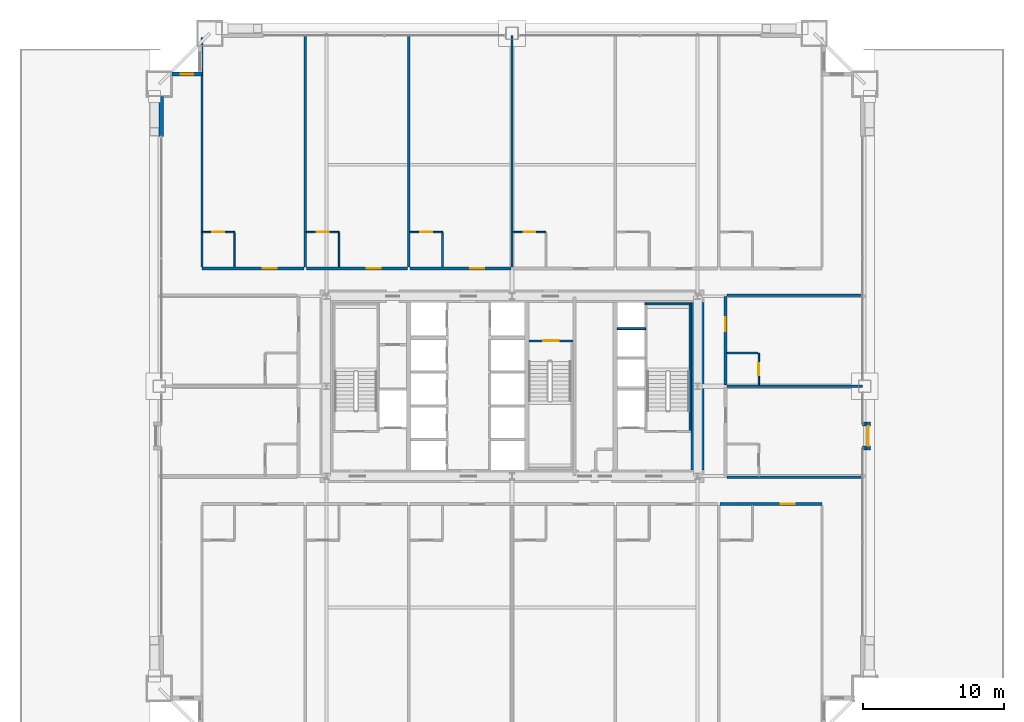
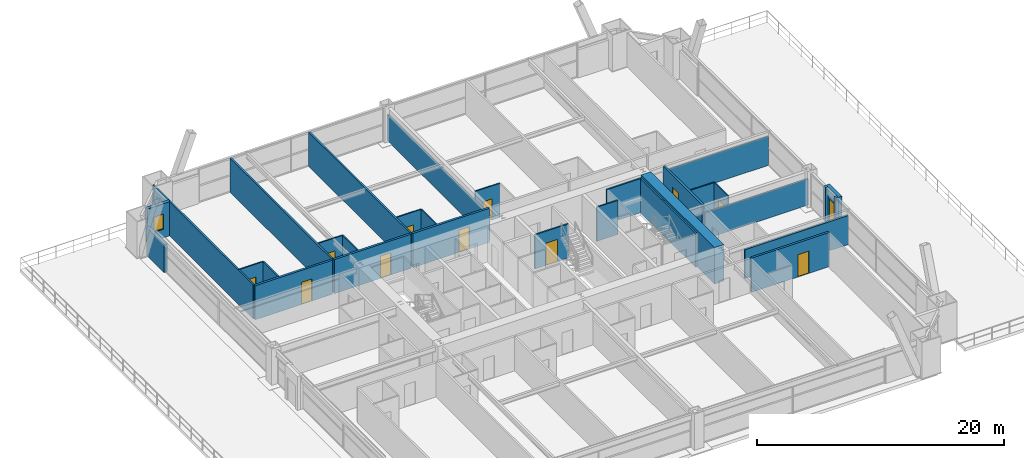
# One storey, part 41 of 45: 31 walls, 12 doors, 1 window, 13 openings.
"""IFC4 building model written with IfcOpenShell, lengths in metres."""

from ifc_helpers import new_model, si_unit, direction, frame, frame_2d, origin, place, context, subcontext, project, spatial, rectangle, extrude, source, transform, mapped, material, layer, layer_set, type_object, element, fill, save


model = new_model("IFC4")

# Units and contexts
model_context = context("Model", 3, precision=1e-05, world=origin(), true_north=direction((0.0, 1.0)))
body_context = subcontext(model_context, "Body", "Model", "MODEL_VIEW")
ifc_project = project(units=[si_unit("LENGTHUNIT", "METRE"), si_unit("AREAUNIT", "SQUARE_METRE"), si_unit("VOLUMEUNIT", "CUBIC_METRE"), si_unit("PLANEANGLEUNIT", "RADIAN"), si_unit("MASSUNIT", "GRAM", prefix="KILO"), si_unit("THERMODYNAMICTEMPERATUREUNIT", "KELVIN"), si_unit("POWERUNIT", "WATT")], contexts=[model_context])

# Site, building, storey
site_placement = place(None, origin())
site = spatial("IfcSite", under=ifc_project, at=site_placement, CompositionType="ELEMENT")
building_placement = place(site_placement, origin())
building = spatial("IfcBuilding", under=site, at=building_placement, Name="Yuzanri Waterfront Tower", CompositionType="ELEMENT")
storey_placement = place(building_placement, frame((0.0, 0.0, 30.60009765625)))
storey = spatial("IfcBuildingStorey", under=building, at=storey_placement, Name="L07", CompositionType="ELEMENT", Elevation=30.60009765625)

# Wall, opening, door
ifc_material_1 = material(Name="Moisture-Resistant Gypsum Stud Wall", Category="gypsum")
ifc_layer_1 = layer(ifc_material_1, 0.1201171875)
ifc_layer_set_1 = layer_set([ifc_layer_1], Name="Moisture-Resistant Gypsum Stud Wall")
wall_type_1 = type_object("IfcWallType", Name="Bathroom and Kitchen Wet Partition 120", PredefinedType="PARTITIONING", material=ifc_layer_set_1)
wall_1_placement = place(storey_placement, frame((14.93994140625, 36.760009765625, 0.0), z_axis=(0.0, 0.0, 1.0), x_axis=(1.0, 0.0, 0.0)))
wall_1 = element("IfcWall", 1, at=wall_1_placement, inside=storey, type_object=wall_type_1, Name="L07 Partition UW-L07-N1-BN", PredefinedType="PARTITIONING", context=body_context, shape_type="SweptSolid", body=[
    extrude(rectangle(XDim=2.330078125, YDim=0.1201171875, at=frame_2d((1.1650390625, 0.0))), origin(), (0.0, 0.0, 1.0), 3.3798828125),
])
opening_1_placement = place(wall_1_placement, frame((0.739990234375, 0.0, 0.0)))
opening_1 = element("IfcOpeningElement", 2, at=opening_1_placement, cuts=wall_1, Name="Opening ID-0850", PredefinedType="OPENING", context=body_context, shape_type="SweptSolid", body=[
    extrude(rectangle(XDim=0.85009765625, YDim=2.10009765625, at=frame_2d((0.425048828125, 1.050048828125))), frame((0.0, 0.074951171875, 0.0), z_axis=(0.0, -1.0, 0.0), x_axis=(1.0, 0.0, 0.0)), (0.0, 0.0, 1.0), 0.14990234375),
])
ifc_material_2 = material(Name="Moisture-Resistant Lacquered Timber", Category="wood")
door_type_1 = type_object("IfcDoorType", Name="En-Suite Bathroom and Kitchen Swing Door 850x2100", OperationType="NOTDEFINED", PredefinedType="DOOR", material=ifc_material_2)
shared_shape_1 = source(origin(), body_context, "Body", "SweptSolid", [
    extrude(rectangle(XDim=0.85009765625, YDim=2.10009765625, at=frame_2d((0.425048828125, 1.050048828125))), frame((0.0, 0.02490234375, 0.0), z_axis=(0.0, -1.0, 0.0), x_axis=(1.0, 0.0, 0.0)), (0.0, 0.0, 1.0), 0.050048828125),
])
door_1_placement = place(opening_1_placement, origin())
door_1 = element("IfcDoor", 3, at=door_1_placement, inside=storey, type_object=door_type_1, Name="L07 Guest En-Suite Door", OperationType="SINGLE_SWING_LEFT", OverallHeight=2.10009765625, OverallWidth=0.85009765625, PredefinedType="DOOR", context=body_context, shape_type="MappedRepresentation", body=[
    mapped(shared_shape_1, transform((0.0, 0.0, 0.0), scale=1.0)),
])
fill(opening_1, door_1)

wall_2_placement = place(storey_placement, frame((22.373046875, 36.760009765625, 0.0), z_axis=(0.0, 0.0, 1.0), x_axis=(1.0, 0.0, 0.0)))
wall_2 = element("IfcWall", 4, at=wall_2_placement, inside=storey, type_object=wall_type_1, Name="L07 Partition UW-L07-N2-BN", PredefinedType="PARTITIONING", context=body_context, shape_type="SweptSolid", body=[
    extrude(rectangle(XDim=2.329833984375, YDim=0.1201171875, at=frame_2d((1.1650390625, 0.0))), origin(), (0.0, 0.0, 1.0), 3.3798828125),
])
opening_2_placement = place(wall_2_placement, frame((0.739990234375, 0.0, 0.0)))
opening_2 = element("IfcOpeningElement", 5, at=opening_2_placement, cuts=wall_2, Name="Opening ID-0850", PredefinedType="OPENING", context=body_context, shape_type="SweptSolid", body=[
    extrude(rectangle(XDim=0.85009765625, YDim=2.10009765625, at=frame_2d((0.425048828125, 1.050048828125))), frame((0.0, 0.074951171875, 0.0), z_axis=(0.0, -1.0, 0.0), x_axis=(1.0, 0.0, 0.0)), (0.0, 0.0, 1.0), 0.14990234375),
])
door_2_placement = place(opening_2_placement, origin())
door_2 = element("IfcDoor", 6, at=door_2_placement, inside=storey, type_object=door_type_1, Name="L07 Guest En-Suite Door", OperationType="SINGLE_SWING_LEFT", OverallHeight=2.10009765625, OverallWidth=0.85009765625, PredefinedType="DOOR", context=body_context, shape_type="MappedRepresentation", body=[
    mapped(shared_shape_1, transform((0.0, 0.0, 0.0), scale=1.0)),
])
fill(opening_2, door_2)

wall_3_placement = place(storey_placement, frame((29.72705078125, 36.760009765625, 0.0), z_axis=(0.0, 0.0, 1.0), x_axis=(1.0, 0.0, 0.0)))
wall_3 = element("IfcWall", 7, at=wall_3_placement, inside=storey, type_object=wall_type_1, Name="L07 Partition UW-L07-N3-BN", PredefinedType="PARTITIONING", context=body_context, shape_type="SweptSolid", body=[
    extrude(rectangle(XDim=2.329833984375, YDim=0.1201171875, at=frame_2d((1.1650390625, 0.0))), origin(), (0.0, 0.0, 1.0), 3.3798828125),
])
opening_3_placement = place(wall_3_placement, frame((0.739990234375, 0.0, 0.0)))
opening_3 = element("IfcOpeningElement", 8, at=opening_3_placement, cuts=wall_3, Name="Opening ID-0850", PredefinedType="OPENING", context=body_context, shape_type="SweptSolid", body=[
    extrude(rectangle(XDim=0.85009765625, YDim=2.10009765625, at=frame_2d((0.425048828125, 1.050048828125))), frame((0.0, 0.074951171875, 0.0), z_axis=(0.0, -1.0, 0.0), x_axis=(1.0, 0.0, 0.0)), (0.0, 0.0, 1.0), 0.14990234375),
])
door_3_placement = place(opening_3_placement, origin())
door_3 = element("IfcDoor", 9, at=door_3_placement, inside=storey, type_object=door_type_1, Name="L07 Guest En-Suite Door", OperationType="SINGLE_SWING_LEFT", OverallHeight=2.10009765625, OverallWidth=0.85009765625, PredefinedType="DOOR", context=body_context, shape_type="MappedRepresentation", body=[
    mapped(shared_shape_1, transform((0.0, 0.0, 0.0), scale=1.0)),
])
fill(opening_3, door_3)

wall_4_placement = place(storey_placement, frame((37.080078125, 36.760009765625, 0.0), z_axis=(0.0, 0.0, 1.0), x_axis=(1.0, 0.0, 0.0)))
wall_4 = element("IfcWall", 10, at=wall_4_placement, inside=storey, type_object=wall_type_1, Name="L07 Partition UW-L07-N4-BN", PredefinedType="PARTITIONING", context=body_context, shape_type="SweptSolid", body=[
    extrude(rectangle(XDim=2.329833984375, YDim=0.1201171875, at=frame_2d((1.1650390625, 0.0))), origin(), (0.0, 0.0, 1.0), 3.3798828125),
])
opening_4_placement = place(wall_4_placement, frame((0.739990234375, 0.0, 0.0)))
opening_4 = element("IfcOpeningElement", 11, at=opening_4_placement, cuts=wall_4, Name="Opening ID-0850", PredefinedType="OPENING", context=body_context, shape_type="SweptSolid", body=[
    extrude(rectangle(XDim=0.85009765625, YDim=2.10009765625, at=frame_2d((0.425048828125, 1.050048828125))), frame((0.0, 0.074951171875, 0.0), z_axis=(0.0, -1.0, 0.0), x_axis=(1.0, 0.0, 0.0)), (0.0, 0.0, 1.0), 0.14990234375),
])
door_4_placement = place(opening_4_placement, origin())
door_4 = element("IfcDoor", 12, at=door_4_placement, inside=storey, type_object=door_type_1, Name="L07 Guest En-Suite Door", OperationType="SINGLE_SWING_LEFT", OverallHeight=2.10009765625, OverallWidth=0.85009765625, PredefinedType="DOOR", context=body_context, shape_type="MappedRepresentation", body=[
    mapped(shared_shape_1, transform((0.0, 0.0, 0.0), scale=1.0)),
])
fill(opening_4, door_4)

wall_5_placement = place(storey_placement, frame((54.56005859375, 25.8798828125, 0.0), z_axis=(0.0, 0.0, 1.0), x_axis=(0.0, 1.0, 0.0)))
wall_5 = element("IfcWall", 13, at=wall_5_placement, inside=storey, type_object=wall_type_1, Name="L07 Partition UW-L07-E2-BE2", PredefinedType="PARTITIONING", context=body_context, shape_type="SweptSolid", body=[
    extrude(rectangle(XDim=2.280029296875, YDim=0.1201171875, at=frame_2d((1.14013671875, 0.0))), origin(), (0.0, 0.0, 1.0), 3.3798828125),
])
opening_5_placement = place(wall_5_placement, frame((0.715087890625, 0.0, 0.0)))
opening_5 = element("IfcOpeningElement", 14, at=opening_5_placement, cuts=wall_5, Name="Opening ID-0850", PredefinedType="OPENING", context=body_context, shape_type="SweptSolid", body=[
    extrude(rectangle(XDim=0.85009765625, YDim=2.10009765625, at=frame_2d((0.425048828125, 1.050048828125))), frame((0.0, 0.074951171875, 0.0), z_axis=(0.0, -1.0, 0.0), x_axis=(1.0, 0.0, 0.0)), (0.0, 0.0, 1.0), 0.14990234375),
])
door_5_placement = place(opening_5_placement, origin())
door_5 = element("IfcDoor", 15, at=door_5_placement, inside=storey, type_object=door_type_1, Name="L07 Guest En-Suite Door", OperationType="SINGLE_SWING_LEFT", OverallHeight=2.10009765625, OverallWidth=0.85009765625, PredefinedType="DOOR", context=body_context, shape_type="MappedRepresentation", body=[
    mapped(shared_shape_1, transform((0.0, 0.0, 0.0), scale=1.0)),
])
fill(opening_5, door_5)

# Wall, opening, window
ifc_material_3 = material(Name="Honed Chongqing Dark Basalt Stone", Category="masonry")
ifc_layer_2 = layer(ifc_material_3, 0.300048828125)
ifc_layer_set_2 = layer_set([ifc_layer_2], Name="Honed Chongqing Dark Basalt Stone")
wall_type_2 = type_object("IfcWallType", Name="Bronze Rainscreen Insulated Spandrel Portal Wall 300", PredefinedType="SOLIDWALL", material=ifc_layer_set_2)
wall_6_placement = place(storey_placement, frame((14.949951171875, 48.0, 0.0), z_axis=(0.0, 0.0, 1.0), x_axis=(-1.0, 0.0, 0.0)))
wall_6 = element("IfcWall", 16, at=wall_6_placement, inside=storey, type_object=wall_type_2, Name="L07 Notched Corner Masonry Wall NW-X", PredefinedType="SOLIDWALL", context=body_context, shape_type="SweptSolid", body=[
    extrude(rectangle(XDim=2.14990234375, YDim=0.300048828125, at=frame_2d((1.074951171875, 0.0))), origin(), (0.0, 0.0, 1.0), 3.3798828125),
])
opening_6_placement = place(wall_6_placement, frame((0.625, 0.0, 0.85009765625)))
opening_6 = element("IfcOpeningElement", 17, at=opening_6_placement, cuts=wall_6, Name="Opening WN-05", PredefinedType="OPENING", context=body_context, shape_type="SweptSolid", body=[
    extrude(rectangle(XDim=0.89990234375, YDim=1.5, at=frame_2d((0.449951171875, 0.75))), frame((0.0, 0.1650390625, 0.0), z_axis=(0.0, -1.0, 0.0), x_axis=(1.0, 0.0, 0.0)), (0.0, 0.0, 1.0), 0.329833984375),
])
ifc_material_4 = material(Name="Double-Silver Low-E Insulated Glass", Category="glass")
window_type = type_object("IfcWindowType", Name="Anodized Bronze Service and Stairwell Smoke-Vent Window 900x1500", PartitioningType="SINGLE_PANEL", PredefinedType="WINDOW", material=ifc_material_4)
shared_shape_2 = source(origin(), body_context, "Body", "SweptSolid", [
    extrude(rectangle(XDim=0.89990234375, YDim=1.5, at=frame_2d((0.449951171875, 0.75))), frame((0.0, 0.030029296875, 0.0), z_axis=(0.0, -1.0, 0.0), x_axis=(1.0, 0.0, 0.0)), (0.0, 0.0, 1.0), 0.06005859375),
])
window_placement = place(opening_6_placement, origin())
window = element("IfcWindow", 18, at=window_placement, inside=storey, type_object=window_type, Name="L07 Notched Corner Window NW-X", OverallHeight=1.5, OverallWidth=0.89990234375, PartitioningType="SINGLE_PANEL", PredefinedType="WINDOW", context=body_context, shape_type="MappedRepresentation", body=[
    mapped(shared_shape_2, transform((0.0, 0.0, 0.0), scale=1.0)),
])
fill(opening_6, window)

# Wall, opening, door
wall_7_placement = place(storey_placement, frame((62.35009765625, 21.2548828125, 0.0), z_axis=(0.0, 0.0, 1.0), x_axis=(0.0, 1.0, 0.0)))
wall_7 = element("IfcWall", 19, at=wall_7_placement, inside=storey, type_object=wall_type_2, Name="L07 E Terrace Door Portal Wall", PredefinedType="SOLIDWALL", context=body_context, shape_type="SweptSolid", body=[
    extrude(rectangle(XDim=2.0, YDim=0.300048828125, at=frame_2d((1.0, 0.0))), origin(), (0.0, 0.0, 1.0), 3.3798828125),
])
opening_7_placement = place(wall_7_placement, frame((0.300048828125, 0.0, 0.0)))
opening_7 = element("IfcOpeningElement", 20, at=opening_7_placement, cuts=wall_7, Name="Opening TD-1400", PredefinedType="OPENING", context=body_context, shape_type="SweptSolid", body=[
    extrude(rectangle(XDim=1.39990234375, YDim=2.300048828125, at=frame_2d((0.699951171875, 1.14990234375))), frame((0.0, 0.1650390625, 0.0), z_axis=(0.0, -1.0, 0.0), x_axis=(1.0, 0.0, 0.0)), (0.0, 0.0, 1.0), 0.329833984375),
])
ifc_material_5 = material(Name="Anodized Architectural Bronze", Category="metal")
door_type_2 = type_object("IfcDoorType", Name="Anodized Bronze Balcony and Terrace Glazed Double Door 1400x2300", OperationType="NOTDEFINED", PredefinedType="DOOR", material=ifc_material_5)
shared_shape_3 = source(origin(), body_context, "Body", "SweptSolid", [
    extrude(rectangle(XDim=1.39990234375, YDim=2.300048828125, at=frame_2d((0.699951171875, 1.14990234375))), frame((0.0, 0.02490234375, 0.0), z_axis=(0.0, -1.0, 0.0), x_axis=(1.0, 0.0, 0.0)), (0.0, 0.0, 1.0), 0.050048828125),
])
door_6_placement = place(opening_7_placement, origin())
door_6 = element("IfcDoor", 21, at=door_6_placement, inside=storey, type_object=door_type_2, Name="L07 E Terrace Glazed Double Door", OperationType="DOUBLE_DOOR_SINGLE_SWING", OverallHeight=2.300048828125, OverallWidth=1.39990234375, PredefinedType="DOOR", context=body_context, shape_type="MappedRepresentation", body=[
    mapped(shared_shape_3, transform((0.0, 0.0, 0.0), scale=1.0)),
])
fill(opening_7, door_6)

ifc_material_6 = material(Name="Concrete C40", Category="concrete")
ifc_layer_3 = layer(ifc_material_6, 0.139892578125)
ifc_layer_set_3 = layer_set([ifc_layer_3], Name="Concrete C40")
wall_type_3 = type_object("IfcWallType", Name="Core Stair Liner and Hoistway Shaft Wall 140", PredefinedType="SOLIDWALL", material=ifc_layer_set_3)
wall_8_placement = place(storey_placement, frame((38.199951171875, 29.030029296875, 0.0), z_axis=(0.0, 0.0, 1.0), x_axis=(1.0, 0.0, 0.0)))
wall_8 = element("IfcWall", 22, at=wall_8_placement, inside=storey, type_object=wall_type_3, Name="L07 Shaft Wall STW-L07-ST-03-N", PredefinedType="SOLIDWALL", context=body_context, shape_type="SweptSolid", body=[
    extrude(rectangle(XDim=3.14013671875, YDim=0.139892578125, at=frame_2d((1.570068359375, 0.0))), origin(), (0.0, 0.0, 1.0), 3.3798828125),
])
opening_8_placement = place(wall_8_placement, frame((1.02001953125, 0.0, 0.0)))
opening_8 = element("IfcOpeningElement", 23, at=opening_8_placement, cuts=wall_8, Name="Opening FD-1100", PredefinedType="OPENING", context=body_context, shape_type="SweptSolid", body=[
    extrude(rectangle(XDim=1.10009765625, YDim=2.199951171875, at=frame_2d((0.550048828125, 1.10009765625))), frame((0.0, 0.0849609375, 0.0), z_axis=(0.0, -1.0, 0.0), x_axis=(1.0, 0.0, 0.0)), (0.0, 0.0, 1.0), 0.169677734375),
])
ifc_material_7 = material(Name="Painted Galvanized Fire Steel", Category="steel")
door_type_3 = type_object("IfcDoorType", Name="Smoke-Proof Stair and Lobby Fire Door 1100x2200", OperationType="NOTDEFINED", PredefinedType="DOOR", material=ifc_material_7)
shared_shape_4 = source(origin(), body_context, "Body", "SweptSolid", [
    extrude(rectangle(XDim=1.10009765625, YDim=2.199951171875, at=frame_2d((0.550048828125, 1.10009765625))), frame((0.0, 0.02490234375, 0.0), z_axis=(0.0, -1.0, 0.0), x_axis=(1.0, 0.0, 0.0)), (0.0, 0.0, 1.0), 0.050048828125),
])
door_7_placement = place(opening_8_placement, origin())
door_7 = element("IfcDoor", 24, at=door_7_placement, inside=storey, type_object=door_type_3, Name="L07 Stair ST-03 Fire Door", OperationType="SINGLE_SWING_RIGHT", OverallHeight=2.199951171875, OverallWidth=1.10009765625, PredefinedType="DOOR", context=body_context, shape_type="MappedRepresentation", body=[
    mapped(shared_shape_4, transform((0.0, 0.0, 0.0), scale=1.0)),
])
fill(opening_8, door_7)

ifc_material_8 = material(Name="Autoclaved Aerated Concrete Blockwork", Category="masonry")
ifc_layer_4 = layer(ifc_material_8, 0.199951171875)
ifc_layer_set_4 = layer_set([ifc_layer_4], Name="Autoclaved Aerated Concrete Blockwork")
wall_type_4 = type_object("IfcWallType", Name="Corridor and Unit Party Fire Wall 200", PredefinedType="PARTITIONING", material=ifc_layer_set_4)
wall_9_placement = place(storey_placement, frame((51.787109375, 17.419921875, 0.0), z_axis=(0.0, 0.0, 1.0), x_axis=(1.0, 0.0, 0.0)))
wall_9 = element("IfcWall", 25, at=wall_9_placement, inside=storey, type_object=wall_type_4, Name="L07 Partition UW-L07-S6-CN", PredefinedType="PARTITIONING", context=body_context, shape_type="SweptSolid", body=[
    extrude(rectangle(XDim=7.27294921875, YDim=0.199951171875, at=frame_2d((3.636474609375, 0.0))), origin(), (0.0, 0.0, 1.0), 3.3798828125),
])
opening_9_placement = place(wall_9_placement, frame((4.342041015625, 0.0, 0.0)))
opening_9 = element("IfcOpeningElement", 26, at=opening_9_placement, cuts=wall_9, Name="Opening FD-1000", PredefinedType="OPENING", context=body_context, shape_type="SweptSolid", body=[
    extrude(rectangle(XDim=1.0, YDim=2.199951171875, at=frame_2d((0.5, 1.10009765625))), frame((0.0, 0.11474609375, 0.0), z_axis=(0.0, -1.0, 0.0), x_axis=(1.0, 0.0, 0.0)), (0.0, 0.0, 1.0), 0.229736328125),
])
ifc_material_9 = material(Name="Engineered Oak Fire-Rated Timber", Category="wood")
door_type_4 = type_object("IfcDoorType", Name="Guestroom and Apartment Entrance Fire Door 1000x2200", OperationType="NOTDEFINED", PredefinedType="DOOR", material=ifc_material_9)
shared_shape_5 = source(origin(), body_context, "Body", "SweptSolid", [
    extrude(rectangle(XDim=1.0, YDim=2.199951171875, at=frame_2d((0.5, 1.10009765625))), frame((0.0, 0.02490234375, 0.0), z_axis=(0.0, -1.0, 0.0), x_axis=(1.0, 0.0, 0.0)), (0.0, 0.0, 1.0), 0.050048828125),
])
door_8_placement = place(opening_9_placement, origin())
door_8 = element("IfcDoor", 27, at=door_8_placement, inside=storey, type_object=door_type_4, Name="L07 Premier King Junior Suite Entrance Door", OperationType="SINGLE_SWING_RIGHT", OverallHeight=2.199951171875, OverallWidth=1.0, PredefinedType="DOOR", context=body_context, shape_type="MappedRepresentation", body=[
    mapped(shared_shape_5, transform((0.0, 0.0, 0.0), scale=1.0)),
])
fill(opening_9, door_8)

wall_10_placement = place(storey_placement, frame((14.93994140625, 34.179931640625, 0.0), z_axis=(0.0, 0.0, 1.0), x_axis=(1.0, 0.0, 0.0)))
wall_10 = element("IfcWall", 28, at=wall_10_placement, inside=storey, type_object=wall_type_4, Name="L07 Partition UW-L07-N1-CS", PredefinedType="PARTITIONING", context=body_context, shape_type="SweptSolid", body=[
    extrude(rectangle(XDim=7.27294921875, YDim=0.199951171875, at=frame_2d((3.636474609375, 0.0))), origin(), (0.0, 0.0, 1.0), 3.3798828125),
])
opening_10_placement = place(wall_10_placement, frame((4.342041015625, 0.0, 0.0)))
opening_10 = element("IfcOpeningElement", 29, at=opening_10_placement, cuts=wall_10, Name="Opening FD-1000", PredefinedType="OPENING", context=body_context, shape_type="SweptSolid", body=[
    extrude(rectangle(XDim=1.0, YDim=2.199951171875, at=frame_2d((0.5, 1.10009765625))), frame((0.0, 0.11474609375, 0.0), z_axis=(0.0, -1.0, 0.0), x_axis=(1.0, 0.0, 0.0)), (0.0, 0.0, 1.0), 0.229736328125),
])
door_9_placement = place(opening_10_placement, origin())
door_9 = element("IfcDoor", 30, at=door_9_placement, inside=storey, type_object=door_type_4, Name="L07 Deluxe Cityview Junior Suite Entrance Door", OperationType="SINGLE_SWING_RIGHT", OverallHeight=2.199951171875, OverallWidth=1.0, PredefinedType="DOOR", context=body_context, shape_type="MappedRepresentation", body=[
    mapped(shared_shape_5, transform((0.0, 0.0, 0.0), scale=1.0)),
])
fill(opening_10, door_9)

wall_11_placement = place(storey_placement, frame((22.373046875, 34.179931640625, 0.0), z_axis=(0.0, 0.0, 1.0), x_axis=(1.0, 0.0, 0.0)))
wall_11 = element("IfcWall", 31, at=wall_11_placement, inside=storey, type_object=wall_type_4, Name="L07 Partition UW-L07-N2-CS", PredefinedType="PARTITIONING", context=body_context, shape_type="SweptSolid", body=[
    extrude(rectangle(XDim=7.19384765625, YDim=0.199951171875, at=frame_2d((3.596923828125, 0.0))), origin(), (0.0, 0.0, 1.0), 3.3798828125),
])
opening_11_placement = place(wall_11_placement, frame((4.302001953125, 0.0, 0.0)))
opening_11 = element("IfcOpeningElement", 32, at=opening_11_placement, cuts=wall_11, Name="Opening FD-1000", PredefinedType="OPENING", context=body_context, shape_type="SweptSolid", body=[
    extrude(rectangle(XDim=1.0, YDim=2.199951171875, at=frame_2d((0.5, 1.10009765625))), frame((0.0, 0.11474609375, 0.0), z_axis=(0.0, -1.0, 0.0), x_axis=(1.0, 0.0, 0.0)), (0.0, 0.0, 1.0), 0.229736328125),
])
door_10_placement = place(opening_11_placement, origin())
door_10 = element("IfcDoor", 33, at=door_10_placement, inside=storey, type_object=door_type_4, Name="L07 Deluxe Cityview Junior Suite Entrance Door", OperationType="SINGLE_SWING_RIGHT", OverallHeight=2.199951171875, OverallWidth=1.0, PredefinedType="DOOR", context=body_context, shape_type="MappedRepresentation", body=[
    mapped(shared_shape_5, transform((0.0, 0.0, 0.0), scale=1.0)),
])
fill(opening_11, door_10)

wall_12_placement = place(storey_placement, frame((29.72705078125, 34.179931640625, 0.0), z_axis=(0.0, 0.0, 1.0), x_axis=(1.0, 0.0, 0.0)))
wall_12 = element("IfcWall", 34, at=wall_12_placement, inside=storey, type_object=wall_type_4, Name="L07 Partition UW-L07-N3-CS", PredefinedType="PARTITIONING", context=body_context, shape_type="SweptSolid", body=[
    extrude(rectangle(XDim=7.19287109375, YDim=0.199951171875, at=frame_2d((3.596435546875, 0.0))), origin(), (0.0, 0.0, 1.0), 3.3798828125),
])
opening_12_placement = place(wall_12_placement, frame((4.302001953125, 0.0, 0.0)))
opening_12 = element("IfcOpeningElement", 35, at=opening_12_placement, cuts=wall_12, Name="Opening FD-1000", PredefinedType="OPENING", context=body_context, shape_type="SweptSolid", body=[
    extrude(rectangle(XDim=1.0, YDim=2.199951171875, at=frame_2d((0.5, 1.10009765625))), frame((0.0, 0.11474609375, 0.0), z_axis=(0.0, -1.0, 0.0), x_axis=(1.0, 0.0, 0.0)), (0.0, 0.0, 1.0), 0.229736328125),
])
door_11_placement = place(opening_12_placement, origin())
door_11 = element("IfcDoor", 36, at=door_11_placement, inside=storey, type_object=door_type_4, Name="L07 Deluxe Cityview Junior Suite Entrance Door", OperationType="SINGLE_SWING_RIGHT", OverallHeight=2.199951171875, OverallWidth=1.0, PredefinedType="DOOR", context=body_context, shape_type="MappedRepresentation", body=[
    mapped(shared_shape_5, transform((0.0, 0.0, 0.0), scale=1.0)),
])
fill(opening_12, door_11)

wall_13_placement = place(storey_placement, frame((52.179931640625, 25.8798828125, 0.0), z_axis=(0.0, 0.0, 1.0), x_axis=(0.0, 1.0, 0.0)))
wall_13 = element("IfcWall", 37, at=wall_13_placement, inside=storey, type_object=wall_type_4, Name="L07 Partition UW-L07-E2-CW", PredefinedType="PARTITIONING", context=body_context, shape_type="SweptSolid", body=[
    extrude(rectangle(XDim=6.31005859375, YDim=0.199951171875, at=frame_2d((3.155029296875, 0.0))), origin(), (0.0, 0.0, 1.0), 3.3798828125),
])
opening_13_placement = place(wall_13_placement, frame((3.8349609375, 0.0, 0.0)))
opening_13 = element("IfcOpeningElement", 38, at=opening_13_placement, cuts=wall_13, Name="Opening FD-1000", PredefinedType="OPENING", context=body_context, shape_type="SweptSolid", body=[
    extrude(rectangle(XDim=1.0, YDim=2.199951171875, at=frame_2d((0.5, 1.10009765625))), frame((0.0, 0.11474609375, 0.0), z_axis=(0.0, -1.0, 0.0), x_axis=(1.0, 0.0, 0.0)), (0.0, 0.0, 1.0), 0.229736328125),
])
door_12_placement = place(opening_13_placement, origin())
door_12 = element("IfcDoor", 39, at=door_12_placement, inside=storey, type_object=door_type_4, Name="L07 Confluence Suite Entrance Door", OperationType="SINGLE_SWING_RIGHT", OverallHeight=2.199951171875, OverallWidth=1.0, PredefinedType="DOOR", context=body_context, shape_type="MappedRepresentation", body=[
    mapped(shared_shape_5, transform((0.0, 0.0, 0.0), scale=1.0)),
])
fill(opening_13, door_12)

# Walls
ifc_material_10 = material(Name="Concrete C60", Category="concrete")
ifc_layer_5 = layer(ifc_material_10, 0.89990234375)
ifc_layer_set_5 = layer_set([ifc_layer_5], Name="Concrete C60")
wall_type_5 = type_object("IfcWallType", Name="Concrete C60 Lower Zone Core Shear Wall 900", PredefinedType="SHEAR", material=ifc_layer_set_5)
shared_shape_6 = source(origin(), body_context, "Body", "SweptSolid", [
    extrude(rectangle(XDim=11.89990234375, YDim=0.89990234375, at=frame_2d((5.949951171875, 0.0))), origin(), (0.0, 0.0, 1.0), 3.599853515625),
])
wall_14_placement = place(storey_placement, frame((50.199951171875, 19.85009765625, 0.0), z_axis=(0.0, 0.0, 1.0), x_axis=(0.0, 1.0, 0.0)))
element("IfcWall", 40, at=wall_14_placement, inside=storey, type_object=wall_type_5, Name="L07 Core East Shear Wall", PredefinedType="SHEAR", context=body_context, shape_type="MappedRepresentation", body=[
    mapped(shared_shape_6, transform((0.0, 0.0, 0.0), scale=1.0)),
])
shared_shape_7 = source(origin(), body_context, "Body", "SweptSolid", [
    extrude(rectangle(XDim=2.849853515625, YDim=0.300048828125, at=frame_2d((1.4248046875, 0.0))), origin(), (0.0, 0.0, 1.0), 2.77490234375),
])
wall_15_placement = place(storey_placement, frame((12.050048828125, 43.550048828125, 0.0), z_axis=(0.0, 0.0, 1.0), x_axis=(0.0, 1.0, 0.0)))
element("IfcWall", 41, at=wall_15_placement, inside=storey, type_object=wall_type_2, Name="L07 W Right Braced Masonry Shoulder", PredefinedType="SOLIDWALL", context=body_context, shape_type="MappedRepresentation", body=[
    mapped(shared_shape_7, transform((0.0, 0.0, 0.0), scale=1.0)),
])
shared_shape_8 = source(origin(), body_context, "Body", "SweptSolid", [
    extrude(rectangle(XDim=0.25, YDim=0.300048828125, at=frame_2d((0.125, 0.0))), origin(), (0.0, 0.0, 1.0), 3.3798828125),
])
for number, where, z_axis, x_axis, name in (
    (42, (61.949951171875, 21.405029296875, 0.0), (0.0, 0.0, 1.0), (1.0, 0.0, 0.0), "L07 E Terrace Portal Left Return"),
    (43, (62.199951171875, 23.10498046875, 0.0), (0.0, 0.0, 1.0), (-1.0, 0.0, 0.0), "L07 E Terrace Portal Right Return"),
):
    element("IfcWall", number, at=place(storey_placement, frame(where, z_axis=z_axis, x_axis=x_axis)), inside=storey, type_object=wall_type_2, Name=name, PredefinedType="SOLIDWALL", context=body_context, shape_type="MappedRepresentation", body=[
        mapped(shared_shape_8, transform((0.0, 0.0, 0.0), scale=1.0)),
    ])
shared_shape_9 = source(origin(), body_context, "Body", "SweptSolid", [
    extrude(rectangle(XDim=2.0, YDim=0.139892578125, at=frame_2d((1.0, 0.0))), origin(), (0.0, 0.0, 1.0), 3.3798828125),
])
wall_16_placement = place(storey_placement, frame((44.5, 29.89990234375, 0.0), z_axis=(0.0, 0.0, 1.0), x_axis=(1.0, 0.0, 0.0)))
element("IfcWall", 44, at=wall_16_placement, inside=storey, type_object=wall_type_3, Name="L07 Lift PL-10 Divider Wall", PredefinedType="SOLIDWALL", context=body_context, shape_type="MappedRepresentation", body=[
    mapped(shared_shape_9, transform((0.0, 0.0, 0.0), scale=1.0)),
])
shared_shape_10 = source(origin(), body_context, "Body", "SweptSolid", [
    extrude(rectangle(XDim=3.280029296875, YDim=0.139892578125, at=frame_2d((1.64013671875, 0.0))), origin(), (0.0, 0.0, 1.0), 3.3798828125),
])
wall_17_placement = place(storey_placement, frame((46.4599609375, 31.64990234375, 0.0), z_axis=(0.0, 0.0, 1.0), x_axis=(1.0, 0.0, 0.0)))
element("IfcWall", 45, at=wall_17_placement, inside=storey, type_object=wall_type_3, Name="L07 Stair ST-02 North Shaft Wall", PredefinedType="SOLIDWALL", context=body_context, shape_type="MappedRepresentation", body=[
    mapped(shared_shape_10, transform((0.0, 0.0, 0.0), scale=1.0)),
])
shared_shape_11 = source(origin(), body_context, "Body", "SweptSolid", [
    extrude(rectangle(XDim=8.940185546875, YDim=0.139892578125, at=frame_2d((4.47021484375, 0.0))), origin(), (0.0, 0.0, 1.0), 3.3798828125),
])
wall_18_placement = place(storey_placement, frame((49.669921875, 22.639892578125, 0.0), z_axis=(0.0, 0.0, 1.0), x_axis=(0.0, 1.0, 0.0)))
element("IfcWall", 46, at=wall_18_placement, inside=storey, type_object=wall_type_3, Name="L07 Stair ST-02 East Shaft Wall", PredefinedType="SOLIDWALL", context=body_context, shape_type="MappedRepresentation", body=[
    mapped(shared_shape_11, transform((0.0, 0.0, 0.0), scale=1.0)),
])
ifc_material_11 = material(Name="Gypsum Fireboard Acoustic Stud Wall", Category="gypsum")
ifc_layer_6 = layer(ifc_material_11, 0.159912109375)
ifc_layer_set_6 = layer_set([ifc_layer_6], Name="Gypsum Fireboard Acoustic Stud Wall")
wall_type_6 = type_object("IfcWallType", Name="Acoustic Suite Demising Partition 160", PredefinedType="PARTITIONING", material=ifc_layer_set_6)
shared_shape_12 = source(origin(), body_context, "Body", "SweptSolid", [
    extrude(rectangle(XDim=16.469970703125, YDim=0.159912109375, at=frame_2d((8.23486328125, 0.0))), origin(), (0.0, 0.0, 1.0), 3.3798828125),
])
for number, where, z_axis, x_axis, name in (
    (47, (22.29296875, 34.280029296875, 0.0), (0.0, 0.0, 1.0), (0.0, 1.0, 0.0), "L07-N1 Party Wall"),
    (48, (29.64697265625, 34.280029296875, 0.0), (0.0, 0.0, 1.0), (0.0, 1.0, 0.0), "L07-N2 Party Wall"),
):
    element("IfcWall", number, at=place(storey_placement, frame(where, z_axis=z_axis, x_axis=x_axis)), inside=storey, type_object=wall_type_6, Name=name, PredefinedType="PARTITIONING", context=body_context, shape_type="MappedRepresentation", body=[
        mapped(shared_shape_12, transform((0.0, 0.0, 0.0), scale=1.0)),
    ])
shared_shape_13 = source(origin(), body_context, "Body", "SweptSolid", [
    extrude(rectangle(XDim=16.469970703125, YDim=0.159912109375, at=frame_2d((8.23486328125, 0.0))), origin(), (0.0, 0.0, 1.0), 2.574951171875),
])
wall_19_placement = place(storey_placement, frame((37.0, 34.280029296875, 0.0), z_axis=(0.0, 0.0, 1.0), x_axis=(0.0, 1.0, 0.0)))
element("IfcWall", 49, at=wall_19_placement, inside=storey, type_object=wall_type_6, Name="L07-N3 Party Wall", PredefinedType="PARTITIONING", context=body_context, shape_type="MappedRepresentation", body=[
    mapped(shared_shape_13, transform((0.0, 0.0, 0.0), scale=1.0)),
])
shared_shape_14 = source(origin(), body_context, "Body", "SweptSolid", [
    extrude(rectangle(XDim=16.320068359375, YDim=0.159912109375, at=frame_2d((8.16015625, 0.0))), origin(), (0.0, 0.0, 1.0), 3.3798828125),
])
wall_20_placement = place(storey_placement, frame((14.949951171875, 34.280029296875, 0.0), z_axis=(0.0, 0.0, 1.0), x_axis=(0.0, 1.0, 0.0)))
element("IfcWall", 50, at=wall_20_placement, inside=storey, type_object=wall_type_6, Name="L07 North Band West End Wall", PredefinedType="PARTITIONING", context=body_context, shape_type="MappedRepresentation", body=[
    mapped(shared_shape_14, transform((0.0, 0.0, 0.0), scale=1.0)),
])
shared_shape_15 = source(origin(), body_context, "Body", "SweptSolid", [
    extrude(rectangle(XDim=2.419921875, YDim=0.1201171875, at=frame_2d((1.2099609375, 0.0))), origin(), (0.0, 0.0, 1.0), 3.3798828125),
])
for number, where, z_axis, x_axis, name in (
    (51, (17.27001953125, 34.280029296875, 0.0), (0.0, 0.0, 1.0), (0.0, 1.0, 0.0), "L07-N1 En-Suite Side Wall"),
    (52, (24.702880859375, 34.280029296875, 0.0), (0.0, 0.0, 1.0), (0.0, 1.0, 0.0), "L07-N2 En-Suite Side Wall"),
    (53, (32.056884765625, 34.280029296875, 0.0), (0.0, 0.0, 1.0), (0.0, 1.0, 0.0), "L07-N3 En-Suite Side Wall"),
):
    element("IfcWall", number, at=place(storey_placement, frame(where, z_axis=z_axis, x_axis=x_axis)), inside=storey, type_object=wall_type_1, Name=name, PredefinedType="PARTITIONING", context=body_context, shape_type="MappedRepresentation", body=[
        mapped(shared_shape_15, transform((0.0, 0.0, 0.0), scale=1.0)),
    ])
shared_shape_16 = source(origin(), body_context, "Body", "SweptSolid", [
    extrude(rectangle(XDim=9.669921875, YDim=0.159912109375, at=frame_2d((4.8349609375, 0.0))), origin(), (0.0, 0.0, 1.0), 2.574951171875),
])
wall_21_placement = place(storey_placement, frame((52.280029296875, 25.800048828125, 0.0), z_axis=(0.0, 0.0, 1.0), x_axis=(1.0, 0.0, 0.0)))
element("IfcWall", 54, at=wall_21_placement, inside=storey, type_object=wall_type_6, Name="L07-E1 Wing Party Wall", PredefinedType="PARTITIONING", context=body_context, shape_type="MappedRepresentation", body=[
    mapped(shared_shape_16, transform((0.0, 0.0, 0.0), scale=1.0)),
])
shared_shape_17 = source(origin(), body_context, "Body", "SweptSolid", [
    extrude(rectangle(XDim=9.669921875, YDim=0.159912109375, at=frame_2d((4.8349609375, 0.0))), origin(), (0.0, 0.0, 1.0), 2.875),
])
for number, where, z_axis, x_axis, name in (
    (55, (52.280029296875, 19.330078125, 0.0), (0.0, 0.0, 1.0), (1.0, 0.0, 0.0), "L07-E1 Wing South End Wall"),
    (56, (52.280029296875, 32.27001953125, 0.0), (0.0, 0.0, 1.0), (1.0, 0.0, 0.0), "L07-E2 Wing North End Wall"),
):
    element("IfcWall", number, at=place(storey_placement, frame(where, z_axis=z_axis, x_axis=x_axis)), inside=storey, type_object=wall_type_6, Name=name, PredefinedType="PARTITIONING", context=body_context, shape_type="MappedRepresentation", body=[
        mapped(shared_shape_17, transform((0.0, 0.0, 0.0), scale=1.0)),
    ])
shared_shape_18 = source(origin(), body_context, "Body", "SweptSolid", [
    extrude(rectangle(XDim=2.219970703125, YDim=0.1201171875, at=frame_2d((1.10986328125, 0.0))), origin(), (0.0, 0.0, 1.0), 3.3798828125),
])
wall_22_placement = place(storey_placement, frame((52.280029296875, 28.159912109375, 0.0), z_axis=(0.0, 0.0, 1.0), x_axis=(1.0, 0.0, 0.0)))
element("IfcWall", 57, at=wall_22_placement, inside=storey, type_object=wall_type_1, Name="L07-E2 En-Suite Top Wall", PredefinedType="PARTITIONING", context=body_context, shape_type="MappedRepresentation", body=[
    mapped(shared_shape_18, transform((0.0, 0.0, 0.0), scale=1.0)),
])

save(model, "model.ifc")
